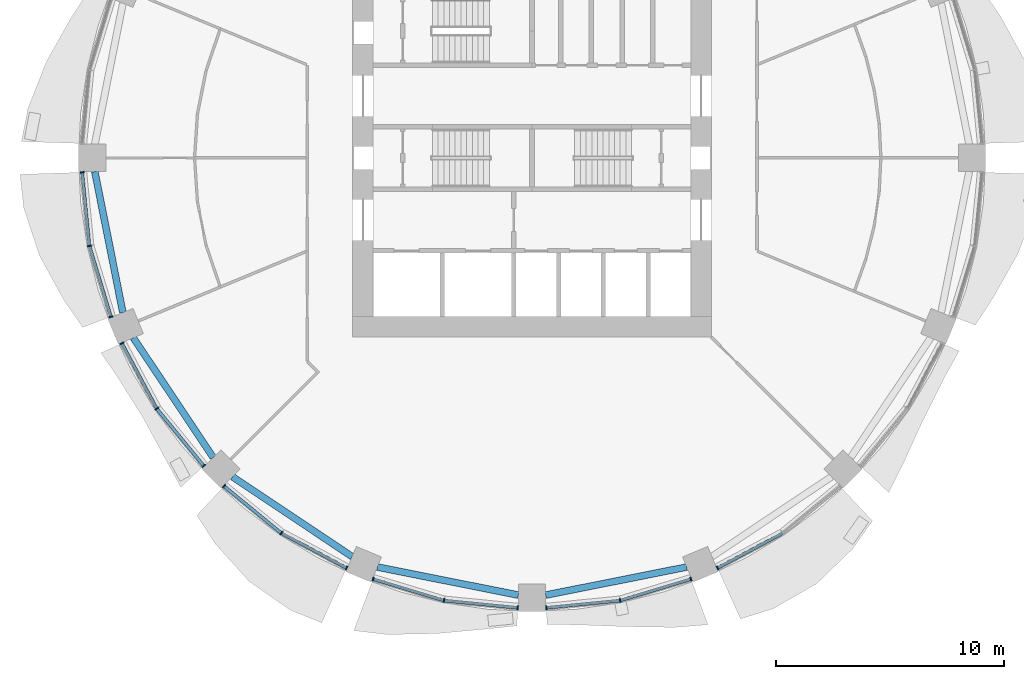
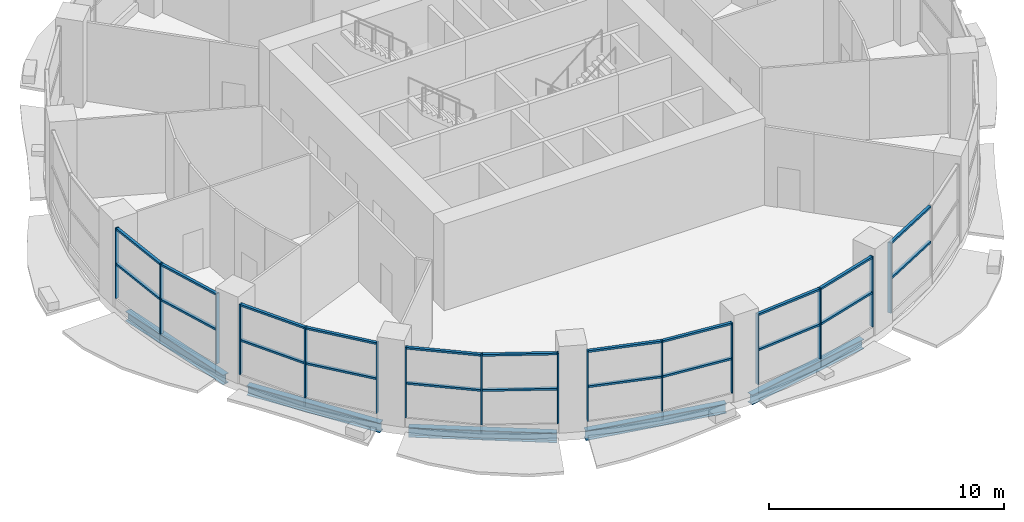
# One storey, part 2 of 14: 38 members, 5 beams, 6 elements without a shape of their own.
"""IFC4 building model written with IfcOpenShell, lengths in metres."""

import ifcopenshell
import ifcopenshell.guid

model = None  # the IFC model being written
_history = None  # IfcOwnerHistory: only IFC2X3 demands one
_inside = {}  # id of a spatial element -> (the spatial element, [elements in it])
_under = {}  # id of a project, library or spatial element -> (it, [spatial elements below it])
_declared = {}  # id of a project -> (the project, [libraries it declares])
_typed = {}  # id of a type object -> (the type object, [elements of that type])
_made_of = {}  # id of a material, layer set ... -> (it, [elements and type objects made of it])


def new_model(schema):
    """Start an empty IFC model of exactly this schema.

    Asked for "IFC4X3", IfcOpenShell would pick the latest addendum, in which some entities
    have other attributes; the version numbers below select the first issue.
    IFC2X3 requires an IfcOwnerHistory on every rooted entity: one is made here for all.
    """
    global model, _history
    if schema == "IFC4X3":
        model = ifcopenshell.file(schema_version=(4, 3, 0, 0))
    else:
        model = ifcopenshell.file(schema=schema)
    _inside.clear()
    _under.clear()
    _declared.clear()
    _typed.clear()
    _made_of.clear()
    _history = None
    if model.schema == "IFC2X3":
        org = make("IfcOrganization", Name="unknown")
        user = make(
            "IfcPersonAndOrganization",
            ThePerson=make("IfcPerson", FamilyName="unknown"),
            TheOrganization=org,
        )
        app = make(
            "IfcApplication",
            ApplicationDeveloper=org,
            Version="unknown",
            ApplicationFullName="unknown",
            ApplicationIdentifier="unknown",
        )
        _history = make(
            "IfcOwnerHistory",
            OwningUser=user,
            OwningApplication=app,
            ChangeAction="ADDED",
            CreationDate=0,
        )
    return model


def make(cls, **values):
    """One entity of the class cls with the attributes given. An attribute that is None is left unset."""
    return model.create_entity(
        cls, **{name: value for name, value in values.items() if value is not None}
    )


def rooted(cls, **values):
    """An entity with a GlobalId (a new one), such as an element, a storey or a relation."""
    return make(cls, GlobalId=ifcopenshell.guid.new(), OwnerHistory=_history, **values)


def si_unit(unit_type, name, prefix=None):
    """IfcSIUnit, for example si_unit("LENGTHUNIT", "METRE", prefix="MILLI")."""
    return make("IfcSIUnit", UnitType=unit_type, Prefix=prefix, Name=name)


def assignment(units):
    """IfcUnitAssignment: the units of a project."""
    return None if units is None else make("IfcUnitAssignment", Units=units)


def point(xyz):
    """IfcCartesianPoint."""
    return None if xyz is None else make("IfcCartesianPoint", Coordinates=xyz)


def direction(xyz):
    """IfcDirection."""
    return None if xyz is None else make("IfcDirection", DirectionRatios=xyz)


def frame(location, z_axis=None, x_axis=None):
    """IfcAxis2Placement3D, a coordinate frame: its origin and axes. An axis left out is left unset."""
    return make(
        "IfcAxis2Placement3D",
        Location=point(location),
        Axis=direction(z_axis),
        RefDirection=direction(x_axis),
    )


def frame_2d(location, x_axis=None):
    """IfcAxis2Placement2D, a coordinate frame in the plane: its origin and x axis."""
    return make(
        "IfcAxis2Placement2D", Location=point(location), RefDirection=direction(x_axis)
    )


def origin():
    """The frame at (0, 0, 0) with its axes left unset."""
    return frame((0.0, 0.0, 0.0))


def origin_2d():
    """The frame at (0, 0) in the plane with its x axis left unset."""
    return frame_2d((0.0, 0.0))


def place(relative_to, where):
    """IfcLocalPlacement: puts the frame where relative to a parent placement (None: the world)."""
    return make(
        "IfcLocalPlacement", PlacementRelTo=relative_to, RelativePlacement=where
    )


def context(
    kind, dimensions, precision=None, world=None, true_north=None, identifier=None
):
    """IfcGeometricRepresentationContext, for example the 3D "Model" context."""
    return make(
        "IfcGeometricRepresentationContext",
        ContextIdentifier=identifier,
        ContextType=kind,
        CoordinateSpaceDimension=dimensions,
        Precision=precision,
        WorldCoordinateSystem=world,
        TrueNorth=true_north,
    )


def subcontext(parent, identifier, kind, view, scale=None):
    """IfcGeometricRepresentationSubContext, for example "Body" below "Model"."""
    return make(
        "IfcGeometricRepresentationSubContext",
        ContextIdentifier=identifier,
        ContextType=kind,
        ParentContext=parent,
        TargetScale=scale,
        TargetView=view,
    )


def project(units=None, contexts=None):
    """IfcProject with its units and contexts."""
    return rooted(
        "IfcProject",
        Name="project",
        RepresentationContexts=contexts,
        UnitsInContext=assignment(units),
    )


def spatial(cls, under=None, at=None, **own):
    """A site, building, storey or space (cls), placed at a placement, below another one or the project."""
    s = rooted(cls, ObjectPlacement=at, **own)
    if under is not None:
        _under.setdefault(under.id(), (under, []))[1].append(s)
    return s


def profile(cls, at=None, kind="AREA", **sizes):
    """A parametric profile (cls). Its sizes go by their IFC names, for example OverallWidth=200.0."""
    return make(cls, ProfileType=kind, Position=at, **sizes)


def rectangle(**sizes):
    """IfcRectangleProfileDef."""
    return profile("IfcRectangleProfileDef", **sizes)


def i_section(**sizes):
    """IfcIShapeProfileDef."""
    return profile("IfcIShapeProfileDef", **sizes)


def extrude(swept, where, along, depth):
    """IfcExtrudedAreaSolid: the profile swept, set in the frame where, extruded along a direction by depth."""
    return make(
        "IfcExtrudedAreaSolid",
        SweptArea=swept,
        Position=where,
        ExtrudedDirection=direction(along),
        Depth=depth,
    )


def shape(context_of_items, identifier, shape_type, items):
    """IfcShapeRepresentation: the items that make up one representation, for example the "Body"."""
    return make(
        "IfcShapeRepresentation",
        ContextOfItems=context_of_items,
        RepresentationIdentifier=identifier,
        RepresentationType=shape_type,
        Items=items,
    )


def material(Name=None, Category=None):
    """IfcMaterial."""
    return make("IfcMaterial", Name=Name, Category=Category)


def material_profile(
    of_material, cross_section, Name=None, Category=None, Priority=None
):
    """IfcMaterialProfile: a cross section and its material."""
    return make(
        "IfcMaterialProfile",
        Name=Name,
        Material=of_material,
        Profile=cross_section,
        Priority=Priority,
        Category=Category,
    )


def profile_set(profiles, Name=None, composite=None):
    """IfcMaterialProfileSet."""
    return make(
        "IfcMaterialProfileSet",
        Name=Name,
        MaterialProfiles=profiles,
        CompositeProfile=composite,
    )


def made_of(thing, what):
    """Note that an element or type object is made of a material, layer set ...; save() writes the relation."""
    if what is not None:
        _made_of.setdefault(what.id(), (what, []))[1].append(thing)
    return thing


def type_object(cls, material=None, **own):
    """A type object (cls), such as IfcWallType, which elements share."""
    return made_of(rooted(cls, **own), material)


def element(
    cls,
    number,
    at=None,
    inside=None,
    cuts=None,
    type_object=None,
    material=None,
    context=None,
    identifier="Body",
    shape_type=None,
    held_by="IfcProductDefinitionShape",
    body=None,
    shapes=None,
    **own,
):
    """One element of the class cls, such as IfcWall. Its Tag is "e" and its number.

    at: its placement. inside: the storey or other place that contains it. cuts: it is an
    opening in that element (IfcRelVoidsElement). A single representation is given by context,
    identifier, shape_type and body (its items); several are given by shapes. held_by: the class
    of the entity that holds the representations. save() writes the other relations.
    """
    e = rooted(cls, Tag="e%d" % number, ObjectPlacement=at, **own)
    if body is not None:
        shapes = [shape(context, identifier, shape_type, body)]
    if shapes is not None:
        e.Representation = make(held_by, Representations=shapes)
    if inside is not None:
        _inside.setdefault(inside.id(), (inside, []))[1].append(e)
    if cuts is not None:
        rooted(
            "IfcRelVoidsElement", RelatingBuildingElement=cuts, RelatedOpeningElement=e
        )
    if type_object is not None:
        _typed.setdefault(type_object.id(), (type_object, []))[1].append(e)
    return made_of(e, material)


def aggregate(whole, parts):
    """IfcRelAggregates: a whole, such as a stair, and the parts it consists of."""
    return rooted("IfcRelAggregates", RelatingObject=whole, RelatedObjects=parts)


def save(model, path):
    """Write the relations noted so far, then the file.

    IfcRelAggregates (storeys below a building ...), IfcRelContainedInSpatialStructure (elements
    in a storey), IfcRelDefinesByType, IfcRelAssociatesMaterial and IfcRelDeclares: one each for
    every whole, place, type object, material and project.
    """
    for whole, parts in _under.values():
        aggregate(whole, parts)
    for where, things in _inside.values():
        rooted(
            "IfcRelContainedInSpatialStructure",
            RelatedElements=things,
            RelatingStructure=where,
        )
    for kind, things in _typed.values():
        rooted("IfcRelDefinesByType", RelatedObjects=things, RelatingType=kind)
    for what, things in _made_of.values():
        rooted("IfcRelAssociatesMaterial", RelatedObjects=things, RelatingMaterial=what)
    for by, libraries in _declared.values():
        rooted("IfcRelDeclares", RelatingContext=by, RelatedDefinitions=libraries)
    model.write(path)


model = new_model("IFC4")

# Units and contexts
model_context = context("Model", 3, precision=1e-05, world=origin(), true_north=direction((0.0, 1.0)))
body_context = subcontext(model_context, "Body", "Model", "MODEL_VIEW")
ifc_project = project(units=[si_unit("LENGTHUNIT", "METRE"), si_unit("AREAUNIT", "SQUARE_METRE"), si_unit("VOLUMEUNIT", "CUBIC_METRE"), si_unit("PLANEANGLEUNIT", "RADIAN"), si_unit("MASSUNIT", "GRAM", prefix="KILO")], contexts=[model_context])

# Site, building, storey
site_placement = place(None, origin())
site = spatial("IfcSite", under=ifc_project, at=site_placement, CompositionType="ELEMENT")
building_placement = place(site_placement, origin())
building = spatial("IfcBuilding", under=site, at=building_placement, Name="Polderwave Tower", CompositionType="ELEMENT")
storey_placement = place(building_placement, frame((0.0, 0.0, 9.89990234375)))
storey = spatial("IfcBuildingStorey", under=building, at=storey_placement, Name="L02", CompositionType="ELEMENT", Elevation=9.89990234375)

# Beams
ifc_material_1 = material(Name="Steel S355", Category="steel")
ifc_material_profile_1 = material_profile(ifc_material_1, i_section(OverallWidth=0.300048828125, OverallDepth=0.5, WebThickness=0.014404296875, FlangeThickness=0.028076171875, at=origin_2d()), Name="HE 500 B")
ifc_profile_set_1 = profile_set([ifc_material_profile_1], Name="Steel S355")
beam_type = type_object("IfcBeamType", Name="RING BEAM HE 500 B", PredefinedType="BEAM", material=ifc_profile_set_1)
for number, where, z_axis, x_axis, name in (
    (1, (-19.20068359375, -0.60009765625, -0.64990234375), (0.195089989691, -0.980785346507, 0.0), (0.980785346507, 0.195089989691, 0.0), "ST-RB-L02-08"),
    (2, (-17.509521484375, -7.902099609375, -0.64990234375), (0.555574248011, -0.831466929557, 0.0), (0.831466929557, 0.555574248011, 0.0), "ST-RB-L02-09"),
    (3, (-13.152587890625, -14.001220703125, -0.64990234375), (0.831466929557, -0.555574248011, 0.0), (0.555574248011, 0.831466929557, 0.0), "ST-RB-L02-10"),
    (4, (-6.79345703125, -17.96875, -0.64990234375), (0.980785346507, -0.195089989691, 0.0), (0.195089989691, 0.980785346507, 0.0), "ST-RB-L02-11"),
    (5, (0.60009765625, -19.20068359375, -0.64990234375), (0.980785346507, 0.195089989691, 0.0), (-0.195089989691, 0.980785346507, 0.0), "ST-RB-L02-12"),
):
    element("IfcBeam", number, at=place(storey_placement, frame(where, z_axis=z_axis, x_axis=x_axis)), inside=storey, type_object=beam_type, Name=name, PredefinedType="BEAM", context=body_context, shape_type="SweptSolid", body=[
        extrude(i_section(OverallWidth=0.300048828125, OverallDepth=0.5, WebThickness=0.014404296875, FlangeThickness=0.028076171875, at=origin_2d()), origin(), (0.0, 0.0, 1.0), 6.314697265625),
    ])

# Curtain wall, members
ifc_material_2 = material(Name="Aluminium 6063-T6 and glass", Category="aluminium")
curtain_wall_type = type_object("IfcCurtainWallType", Name="Shopfront glazing wall", PredefinedType="NOTDEFINED", material=ifc_material_2)
curtain_wall_1_placement = place(storey_placement, origin())
curtain_wall_1 = element("IfcCurtainWall", 6, at=curtain_wall_1_placement, inside=storey, type_object=curtain_wall_type, Name="CW1 L02 08", PredefinedType="NOTDEFINED")
ifc_material_3 = material(Name="Aluminium 6063-T6", Category="aluminium")
ifc_material_profile_2 = material_profile(ifc_material_3, rectangle(XDim=0.179931640625, YDim=0.06005859375, at=origin_2d()), Name="AL 60x180")
ifc_profile_set_2 = profile_set([ifc_material_profile_2], Name="Aluminium 6063-T6")
member_type_1 = type_object("IfcMemberType", Name="Shopfront glazing mullion 60x180", PredefinedType="MULLION", material=ifc_profile_set_2)
member_1_placement = place(storey_placement, frame((-19.758056640625, -0.6298828125, 0.4501953125), z_axis=(0.0, 0.0, 1.0), x_axis=(0.99517788136, 0.098086617091, 0.0)))
member_1 = element("IfcMember", 7, at=member_1_placement, type_object=member_type_1, Name="CW1 mullion 1", PredefinedType="MULLION", context=body_context, shape_type="SweptSolid", body=[
    extrude(rectangle(XDim=0.179931640625, YDim=0.06005859375, at=origin_2d()), origin(), (0.0, 0.0, 1.0), 3.64990234375),
])
member_2_placement = place(storey_placement, frame((-19.43896484375, -3.866943359375, 0.4501953125), z_axis=(0.0, 0.0, 1.0), x_axis=(0.980773020581, 0.195151946188, 0.0)))
member_2 = element("IfcMember", 8, at=member_2_placement, type_object=member_type_1, Name="CW1 mullion 2", PredefinedType="MULLION", context=body_context, shape_type="SweptSolid", body=[
    extrude(rectangle(XDim=0.179931640625, YDim=0.06005859375, at=origin_2d()), origin(), (0.0, 0.0, 1.0), 3.64990234375),
])
member_3_placement = place(storey_placement, frame((-18.49462890625, -6.979248046875, 0.4501953125), z_axis=(0.0, 0.0, 1.0), x_axis=(0.956924628419, 0.290336452284, 0.0)))
member_3 = element("IfcMember", 9, at=member_3_placement, type_object=member_type_1, Name="CW1 mullion 3", PredefinedType="MULLION", context=body_context, shape_type="SweptSolid", body=[
    extrude(rectangle(XDim=0.179931640625, YDim=0.06005859375, at=origin_2d()), origin(), (0.0, 0.0, 1.0), 3.64990234375),
])

curtain_wall_2_placement = place(storey_placement, origin())
curtain_wall_2 = element("IfcCurtainWall", 10, at=curtain_wall_2_placement, inside=storey, type_object=curtain_wall_type, Name="CW1 L02 09", PredefinedType="NOTDEFINED")
member_4_placement = place(storey_placement, frame((-18.012939453125, -8.142578125, 0.4501953125), z_axis=(0.0, 0.0, 1.0), x_axis=(0.881973091795, 0.471299761669, 0.0)))
member_4 = element("IfcMember", 11, at=member_4_placement, type_object=member_type_1, Name="CW1 mullion 1", PredefinedType="MULLION", context=body_context, shape_type="SweptSolid", body=[
    extrude(rectangle(XDim=0.179931640625, YDim=0.06005859375, at=origin_2d()), origin(), (0.0, 0.0, 1.0), 3.64990234375),
])
member_5_placement = place(storey_placement, frame((-16.47998046875, -11.010986328125, 0.4501953125), z_axis=(0.0, 0.0, 1.0), x_axis=(0.831492883245, 0.555535404015, 0.0)))
member_5 = element("IfcMember", 12, at=member_5_placement, type_object=member_type_1, Name="CW1 mullion 2", PredefinedType="MULLION", context=body_context, shape_type="SweptSolid", body=[
    extrude(rectangle(XDim=0.179931640625, YDim=0.06005859375, at=origin_2d()), origin(), (0.0, 0.0, 1.0), 3.64990234375),
])
member_6_placement = place(storey_placement, frame((-14.416015625, -13.52587890625, 0.4501953125), z_axis=(0.0, 0.0, 1.0), x_axis=(0.772992737459, 0.63441487044, 0.0)))
member_6 = element("IfcMember", 13, at=member_6_placement, type_object=member_type_1, Name="CW1 mullion 3", PredefinedType="MULLION", context=body_context, shape_type="SweptSolid", body=[
    extrude(rectangle(XDim=0.179931640625, YDim=0.06005859375, at=origin_2d()), origin(), (0.0, 0.0, 1.0), 3.64990234375),
])

curtain_wall_3_placement = place(storey_placement, origin())
curtain_wall_3 = element("IfcCurtainWall", 14, at=curtain_wall_3_placement, inside=storey, type_object=curtain_wall_type, Name="CW1 L02 10", PredefinedType="NOTDEFINED")
member_7_placement = place(storey_placement, frame((-13.52587890625, -14.416015625, 0.4501953125), z_axis=(0.0, 0.0, 1.0), x_axis=(0.63441487044, 0.772992737459, 0.0)))
member_7 = element("IfcMember", 15, at=member_7_placement, type_object=member_type_1, Name="CW1 mullion 1", PredefinedType="MULLION", context=body_context, shape_type="SweptSolid", body=[
    extrude(rectangle(XDim=0.179931640625, YDim=0.06005859375, at=origin_2d()), origin(), (0.0, 0.0, 1.0), 3.64990234375),
])
member_8_placement = place(storey_placement, frame((-11.010986328125, -16.47998046875, 0.4501953125), z_axis=(0.0, 0.0, 1.0), x_axis=(0.555535404015, 0.831492883245, 0.0)))
member_8 = element("IfcMember", 16, at=member_8_placement, type_object=member_type_1, Name="CW1 mullion 2", PredefinedType="MULLION", context=body_context, shape_type="SweptSolid", body=[
    extrude(rectangle(XDim=0.179931640625, YDim=0.06005859375, at=origin_2d()), origin(), (0.0, 0.0, 1.0), 3.64990234375),
])
member_9_placement = place(storey_placement, frame((-8.142578125, -18.012939453125, 0.4501953125), z_axis=(0.0, 0.0, 1.0), x_axis=(0.471299761669, 0.881973091795, 0.0)))
member_9 = element("IfcMember", 17, at=member_9_placement, type_object=member_type_1, Name="CW1 mullion 3", PredefinedType="MULLION", context=body_context, shape_type="SweptSolid", body=[
    extrude(rectangle(XDim=0.179931640625, YDim=0.06005859375, at=origin_2d()), origin(), (0.0, 0.0, 1.0), 3.64990234375),
])

curtain_wall_4_placement = place(storey_placement, origin())
curtain_wall_4 = element("IfcCurtainWall", 18, at=curtain_wall_4_placement, inside=storey, type_object=curtain_wall_type, Name="CW1 L02 11", PredefinedType="NOTDEFINED")
member_10_placement = place(storey_placement, frame((-6.979248046875, -18.49462890625, 0.4501953125), z_axis=(0.0, 0.0, 1.0), x_axis=(0.290336452284, 0.956924628419, 0.0)))
member_10 = element("IfcMember", 19, at=member_10_placement, type_object=member_type_1, Name="CW1 mullion 1", PredefinedType="MULLION", context=body_context, shape_type="SweptSolid", body=[
    extrude(rectangle(XDim=0.179931640625, YDim=0.06005859375, at=origin_2d()), origin(), (0.0, 0.0, 1.0), 3.64990234375),
])
member_11_placement = place(storey_placement, frame((-3.866943359375, -19.43896484375, 0.4501953125), z_axis=(0.0, 0.0, 1.0), x_axis=(0.195151946188, 0.980773020581, 0.0)))
member_11 = element("IfcMember", 20, at=member_11_placement, type_object=member_type_1, Name="CW1 mullion 2", PredefinedType="MULLION", context=body_context, shape_type="SweptSolid", body=[
    extrude(rectangle(XDim=0.179931640625, YDim=0.06005859375, at=origin_2d()), origin(), (0.0, 0.0, 1.0), 3.64990234375),
])
member_12_placement = place(storey_placement, frame((-0.6298828125, -19.758056640625, 0.4501953125), z_axis=(0.0, 0.0, 1.0), x_axis=(0.098086617091, 0.99517788136, 0.0)))
member_12 = element("IfcMember", 21, at=member_12_placement, type_object=member_type_1, Name="CW1 mullion 3", PredefinedType="MULLION", context=body_context, shape_type="SweptSolid", body=[
    extrude(rectangle(XDim=0.179931640625, YDim=0.06005859375, at=origin_2d()), origin(), (0.0, 0.0, 1.0), 3.64990234375),
])

curtain_wall_5_placement = place(storey_placement, origin())
curtain_wall_5 = element("IfcCurtainWall", 22, at=curtain_wall_5_placement, inside=storey, type_object=curtain_wall_type, Name="CW1 L02 12", PredefinedType="NOTDEFINED")
member_13_placement = place(storey_placement, frame((0.6298828125, -19.758056640625, 0.4501953125), z_axis=(0.0, 0.0, 1.0), x_axis=(-0.098086617091, 0.99517788136, 0.0)))
member_13 = element("IfcMember", 23, at=member_13_placement, type_object=member_type_1, Name="CW1 mullion 1", PredefinedType="MULLION", context=body_context, shape_type="SweptSolid", body=[
    extrude(rectangle(XDim=0.179931640625, YDim=0.06005859375, at=origin_2d()), origin(), (0.0, 0.0, 1.0), 3.64990234375),
])
member_14_placement = place(storey_placement, frame((3.866943359375, -19.43896484375, 0.4501953125), z_axis=(0.0, 0.0, 1.0), x_axis=(-0.195151946188, 0.980773020581, 0.0)))
member_14 = element("IfcMember", 24, at=member_14_placement, type_object=member_type_1, Name="CW1 mullion 2", PredefinedType="MULLION", context=body_context, shape_type="SweptSolid", body=[
    extrude(rectangle(XDim=0.179931640625, YDim=0.06005859375, at=origin_2d()), origin(), (0.0, 0.0, 1.0), 3.64990234375),
])
member_15_placement = place(storey_placement, frame((6.979248046875, -18.49462890625, 0.4501953125), z_axis=(0.0, 0.0, 1.0), x_axis=(-0.290336452284, 0.956924628419, 0.0)))
member_15 = element("IfcMember", 25, at=member_15_placement, type_object=member_type_1, Name="CW1 mullion 3", PredefinedType="MULLION", context=body_context, shape_type="SweptSolid", body=[
    extrude(rectangle(XDim=0.179931640625, YDim=0.06005859375, at=origin_2d()), origin(), (0.0, 0.0, 1.0), 3.64990234375),
])

# Curtain wall, member
curtain_wall_6_placement = place(storey_placement, origin())
curtain_wall_6 = element("IfcCurtainWall", 26, at=curtain_wall_6_placement, inside=storey, type_object=curtain_wall_type, Name="CW1 L02 13", PredefinedType="NOTDEFINED")
member_16_placement = place(storey_placement, frame((8.142578125, -18.012939453125, 0.4501953125), z_axis=(0.0, 0.0, 1.0), x_axis=(-0.471299761669, 0.881973091795, 0.0)))
member_16 = element("IfcMember", 27, at=member_16_placement, type_object=member_type_1, Name="CW1 mullion 1", PredefinedType="MULLION", context=body_context, shape_type="SweptSolid", body=[
    extrude(rectangle(XDim=0.179931640625, YDim=0.06005859375, at=origin_2d()), origin(), (0.0, 0.0, 1.0), 3.64990234375),
])

# Member
ifc_material_profile_3 = material_profile(ifc_material_3, rectangle(XDim=0.139892578125, YDim=0.10009765625, at=origin_2d()), Name="AL 100x140")
ifc_profile_set_3 = profile_set([ifc_material_profile_3], Name="Aluminium 6063-T6")
member_type_2 = type_object("IfcMemberType", Name="Shopfront glazing transom 100x140", PredefinedType="USERDEFINED", material=ifc_profile_set_3)
member_17_placement = place(storey_placement, frame((-19.755126953125, -0.65966796875, 2.22509765625), z_axis=(0.098103046031, -0.995176261955, 0.0), x_axis=(0.995176261955, 0.098103046031, 0.0)))
member_17 = element("IfcMember", 28, at=member_17_placement, type_object=member_type_2, Name="CW1 transom 1", ObjectType="TRANSOM", PredefinedType="USERDEFINED", context=body_context, shape_type="SweptSolid", body=[
    extrude(rectangle(XDim=0.139892578125, YDim=0.10009765625, at=origin_2d()), origin(), (0.0, 0.0, 1.0), 3.19287109375),
])

member_18_placement = place(storey_placement, frame((-19.755126953125, -0.65966796875, 4.050048828125), z_axis=(0.098103046031, -0.995176261955, 0.0), x_axis=(0.995176261955, 0.098103046031, 0.0)))
member_18 = element("IfcMember", 29, at=member_18_placement, type_object=member_type_2, Name="CW1 transom 2", ObjectType="TRANSOM", PredefinedType="USERDEFINED", context=body_context, shape_type="SweptSolid", body=[
    extrude(rectangle(XDim=0.139892578125, YDim=0.10009765625, at=origin_2d()), origin(), (0.0, 0.0, 1.0), 3.19287109375),
])

member_19_placement = place(storey_placement, frame((-19.430419921875, -3.895751953125, 2.22509765625), z_axis=(0.290370318593, -0.956914352531, 0.0), x_axis=(0.956914352531, 0.290370318593, 0.0)))
member_19 = element("IfcMember", 30, at=member_19_placement, type_object=member_type_2, Name="CW1 transom 3", ObjectType="TRANSOM", PredefinedType="USERDEFINED", context=body_context, shape_type="SweptSolid", body=[
    extrude(rectangle(XDim=0.139892578125, YDim=0.10009765625, at=origin_2d()), origin(), (0.0, 0.0, 1.0), 3.1923828125),
])

member_20_placement = place(storey_placement, frame((-19.430419921875, -3.895751953125, 4.050048828125), z_axis=(0.290370318593, -0.956914352531, 0.0), x_axis=(0.956914352531, 0.290370318593, 0.0)))
member_20 = element("IfcMember", 31, at=member_20_placement, type_object=member_type_2, Name="CW1 transom 4", ObjectType="TRANSOM", PredefinedType="USERDEFINED", context=body_context, shape_type="SweptSolid", body=[
    extrude(rectangle(XDim=0.139892578125, YDim=0.10009765625, at=origin_2d()), origin(), (0.0, 0.0, 1.0), 3.1923828125),
])

aggregate(curtain_wall_1, [member_1, member_2, member_3, member_17, member_18, member_19, member_20])

member_21_placement = place(storey_placement, frame((-17.998779296875, -8.1689453125, 2.22509765625), z_axis=(0.471306507321, -0.88196948709, 0.0), x_axis=(0.88196948709, 0.471306507321, 0.0)))
member_21 = element("IfcMember", 32, at=member_21_placement, type_object=member_type_2, Name="CW1 transom 1", ObjectType="TRANSOM", PredefinedType="USERDEFINED", context=body_context, shape_type="SweptSolid", body=[
    extrude(rectangle(XDim=0.139892578125, YDim=0.10009765625, at=origin_2d()), origin(), (0.0, 0.0, 1.0), 3.1923828125),
])

member_22_placement = place(storey_placement, frame((-17.998779296875, -8.1689453125, 4.050048828125), z_axis=(0.471306507321, -0.88196948709, 0.0), x_axis=(0.88196948709, 0.471306507321, 0.0)))
member_22 = element("IfcMember", 33, at=member_22_placement, type_object=member_type_2, Name="CW1 transom 2", ObjectType="TRANSOM", PredefinedType="USERDEFINED", context=body_context, shape_type="SweptSolid", body=[
    extrude(rectangle(XDim=0.139892578125, YDim=0.10009765625, at=origin_2d()), origin(), (0.0, 0.0, 1.0), 3.1923828125),
])

member_23_placement = place(storey_placement, frame((-16.4609375, -11.0341796875, 2.22509765625), z_axis=(0.634398617513, -0.773006076365, 0.0), x_axis=(0.773006076365, 0.634398617513, 0.0)))
member_23 = element("IfcMember", 34, at=member_23_placement, type_object=member_type_2, Name="CW1 transom 3", ObjectType="TRANSOM", PredefinedType="USERDEFINED", context=body_context, shape_type="SweptSolid", body=[
    extrude(rectangle(XDim=0.139892578125, YDim=0.10009765625, at=origin_2d()), origin(), (0.0, 0.0, 1.0), 3.193359375),
])

member_24_placement = place(storey_placement, frame((-16.4609375, -11.0341796875, 4.050048828125), z_axis=(0.634398617513, -0.773006076365, 0.0), x_axis=(0.773006076365, 0.634398617513, 0.0)))
member_24 = element("IfcMember", 35, at=member_24_placement, type_object=member_type_2, Name="CW1 transom 4", ObjectType="TRANSOM", PredefinedType="USERDEFINED", context=body_context, shape_type="SweptSolid", body=[
    extrude(rectangle(XDim=0.139892578125, YDim=0.10009765625, at=origin_2d()), origin(), (0.0, 0.0, 1.0), 3.193359375),
])

aggregate(curtain_wall_2, [member_4, member_5, member_6, member_21, member_22, member_23, member_24])

member_25_placement = place(storey_placement, frame((-13.502685546875, -14.43505859375, 2.22509765625), z_axis=(0.773006076365, -0.634398617513, 0.0), x_axis=(0.634398617513, 0.773006076365, 0.0)))
member_25 = element("IfcMember", 36, at=member_25_placement, type_object=member_type_2, Name="CW1 transom 1", ObjectType="TRANSOM", PredefinedType="USERDEFINED", context=body_context, shape_type="SweptSolid", body=[
    extrude(rectangle(XDim=0.139892578125, YDim=0.10009765625, at=origin_2d()), origin(), (0.0, 0.0, 1.0), 3.193359375),
])

member_26_placement = place(storey_placement, frame((-13.502685546875, -14.43505859375, 4.050048828125), z_axis=(0.773006076365, -0.634398617513, 0.0), x_axis=(0.634398617513, 0.773006076365, 0.0)))
member_26 = element("IfcMember", 37, at=member_26_placement, type_object=member_type_2, Name="CW1 transom 2", ObjectType="TRANSOM", PredefinedType="USERDEFINED", context=body_context, shape_type="SweptSolid", body=[
    extrude(rectangle(XDim=0.139892578125, YDim=0.10009765625, at=origin_2d()), origin(), (0.0, 0.0, 1.0), 3.193359375),
])

member_27_placement = place(storey_placement, frame((-10.984619140625, -16.494140625, 2.22509765625), z_axis=(0.88196948709, -0.471306507321, 0.0), x_axis=(0.471306507321, 0.88196948709, 0.0)))
member_27 = element("IfcMember", 38, at=member_27_placement, type_object=member_type_2, Name="CW1 transom 3", ObjectType="TRANSOM", PredefinedType="USERDEFINED", context=body_context, shape_type="SweptSolid", body=[
    extrude(rectangle(XDim=0.139892578125, YDim=0.10009765625, at=origin_2d()), origin(), (0.0, 0.0, 1.0), 3.1923828125),
])

member_28_placement = place(storey_placement, frame((-10.984619140625, -16.494140625, 4.050048828125), z_axis=(0.88196948709, -0.471306507321, 0.0), x_axis=(0.471306507321, 0.88196948709, 0.0)))
member_28 = element("IfcMember", 39, at=member_28_placement, type_object=member_type_2, Name="CW1 transom 4", ObjectType="TRANSOM", PredefinedType="USERDEFINED", context=body_context, shape_type="SweptSolid", body=[
    extrude(rectangle(XDim=0.139892578125, YDim=0.10009765625, at=origin_2d()), origin(), (0.0, 0.0, 1.0), 3.1923828125),
])

aggregate(curtain_wall_3, [member_7, member_8, member_9, member_25, member_26, member_27, member_28])

member_29_placement = place(storey_placement, frame((-6.95068359375, -18.50341796875, 2.22509765625), z_axis=(0.956914352531, -0.290370318593, 0.0), x_axis=(0.290370318593, 0.956914352531, 0.0)))
member_29 = element("IfcMember", 40, at=member_29_placement, type_object=member_type_2, Name="CW1 transom 1", ObjectType="TRANSOM", PredefinedType="USERDEFINED", context=body_context, shape_type="SweptSolid", body=[
    extrude(rectangle(XDim=0.139892578125, YDim=0.10009765625, at=origin_2d()), origin(), (0.0, 0.0, 1.0), 3.1923828125),
])

member_30_placement = place(storey_placement, frame((-6.95068359375, -18.50341796875, 4.050048828125), z_axis=(0.956914352531, -0.290370318593, 0.0), x_axis=(0.290370318593, 0.956914352531, 0.0)))
member_30 = element("IfcMember", 41, at=member_30_placement, type_object=member_type_2, Name="CW1 transom 2", ObjectType="TRANSOM", PredefinedType="USERDEFINED", context=body_context, shape_type="SweptSolid", body=[
    extrude(rectangle(XDim=0.139892578125, YDim=0.10009765625, at=origin_2d()), origin(), (0.0, 0.0, 1.0), 3.1923828125),
])

member_31_placement = place(storey_placement, frame((-3.837158203125, -19.44189453125, 2.22509765625), z_axis=(0.995176261955, -0.098103046031, 0.0), x_axis=(0.098103046031, 0.995176261955, 0.0)))
member_31 = element("IfcMember", 42, at=member_31_placement, type_object=member_type_2, Name="CW1 transom 3", ObjectType="TRANSOM", PredefinedType="USERDEFINED", context=body_context, shape_type="SweptSolid", body=[
    extrude(rectangle(XDim=0.139892578125, YDim=0.10009765625, at=origin_2d()), origin(), (0.0, 0.0, 1.0), 3.19287109375),
])

member_32_placement = place(storey_placement, frame((-3.837158203125, -19.44189453125, 4.050048828125), z_axis=(0.995176261955, -0.098103046031, 0.0), x_axis=(0.098103046031, 0.995176261955, 0.0)))
member_32 = element("IfcMember", 43, at=member_32_placement, type_object=member_type_2, Name="CW1 transom 4", ObjectType="TRANSOM", PredefinedType="USERDEFINED", context=body_context, shape_type="SweptSolid", body=[
    extrude(rectangle(XDim=0.139892578125, YDim=0.10009765625, at=origin_2d()), origin(), (0.0, 0.0, 1.0), 3.19287109375),
])

aggregate(curtain_wall_4, [member_10, member_11, member_12, member_29, member_30, member_31, member_32])

member_33_placement = place(storey_placement, frame((0.65966796875, -19.755126953125, 2.22509765625), z_axis=(0.995176261955, 0.098103046031, 0.0), x_axis=(-0.098103046031, 0.995176261955, 0.0)))
member_33 = element("IfcMember", 44, at=member_33_placement, type_object=member_type_2, Name="CW1 transom 1", ObjectType="TRANSOM", PredefinedType="USERDEFINED", context=body_context, shape_type="SweptSolid", body=[
    extrude(rectangle(XDim=0.139892578125, YDim=0.10009765625, at=origin_2d()), origin(), (0.0, 0.0, 1.0), 3.19287109375),
])

member_34_placement = place(storey_placement, frame((0.65966796875, -19.755126953125, 4.050048828125), z_axis=(0.995176261955, 0.098103046031, 0.0), x_axis=(-0.098103046031, 0.995176261955, 0.0)))
member_34 = element("IfcMember", 45, at=member_34_placement, type_object=member_type_2, Name="CW1 transom 2", ObjectType="TRANSOM", PredefinedType="USERDEFINED", context=body_context, shape_type="SweptSolid", body=[
    extrude(rectangle(XDim=0.139892578125, YDim=0.10009765625, at=origin_2d()), origin(), (0.0, 0.0, 1.0), 3.19287109375),
])

member_35_placement = place(storey_placement, frame((3.895751953125, -19.430419921875, 2.22509765625), z_axis=(0.956914352531, 0.290370318593, 0.0), x_axis=(-0.290370318593, 0.956914352531, 0.0)))
member_35 = element("IfcMember", 46, at=member_35_placement, type_object=member_type_2, Name="CW1 transom 3", ObjectType="TRANSOM", PredefinedType="USERDEFINED", context=body_context, shape_type="SweptSolid", body=[
    extrude(rectangle(XDim=0.139892578125, YDim=0.10009765625, at=origin_2d()), origin(), (0.0, 0.0, 1.0), 3.1923828125),
])

member_36_placement = place(storey_placement, frame((3.895751953125, -19.430419921875, 4.050048828125), z_axis=(0.956914352531, 0.290370318593, 0.0), x_axis=(-0.290370318593, 0.956914352531, 0.0)))
member_36 = element("IfcMember", 47, at=member_36_placement, type_object=member_type_2, Name="CW1 transom 4", ObjectType="TRANSOM", PredefinedType="USERDEFINED", context=body_context, shape_type="SweptSolid", body=[
    extrude(rectangle(XDim=0.139892578125, YDim=0.10009765625, at=origin_2d()), origin(), (0.0, 0.0, 1.0), 3.1923828125),
])

aggregate(curtain_wall_5, [member_13, member_14, member_15, member_33, member_34, member_35, member_36])

member_37_placement = place(storey_placement, frame((8.1689453125, -17.998779296875, 2.22509765625), z_axis=(0.88196948709, 0.471306507321, 0.0), x_axis=(-0.471306507321, 0.88196948709, 0.0)))
member_37 = element("IfcMember", 48, at=member_37_placement, type_object=member_type_2, Name="CW1 transom 1", ObjectType="TRANSOM", PredefinedType="USERDEFINED", context=body_context, shape_type="SweptSolid", body=[
    extrude(rectangle(XDim=0.139892578125, YDim=0.10009765625, at=origin_2d()), origin(), (0.0, 0.0, 1.0), 3.1923828125),
])

member_38_placement = place(storey_placement, frame((8.1689453125, -17.998779296875, 4.050048828125), z_axis=(0.88196948709, 0.471306507321, 0.0), x_axis=(-0.471306507321, 0.88196948709, 0.0)))
member_38 = element("IfcMember", 49, at=member_38_placement, type_object=member_type_2, Name="CW1 transom 2", ObjectType="TRANSOM", PredefinedType="USERDEFINED", context=body_context, shape_type="SweptSolid", body=[
    extrude(rectangle(XDim=0.139892578125, YDim=0.10009765625, at=origin_2d()), origin(), (0.0, 0.0, 1.0), 3.1923828125),
])

aggregate(curtain_wall_6, [member_16, member_37, member_38])

save(model, "model.ifc")
